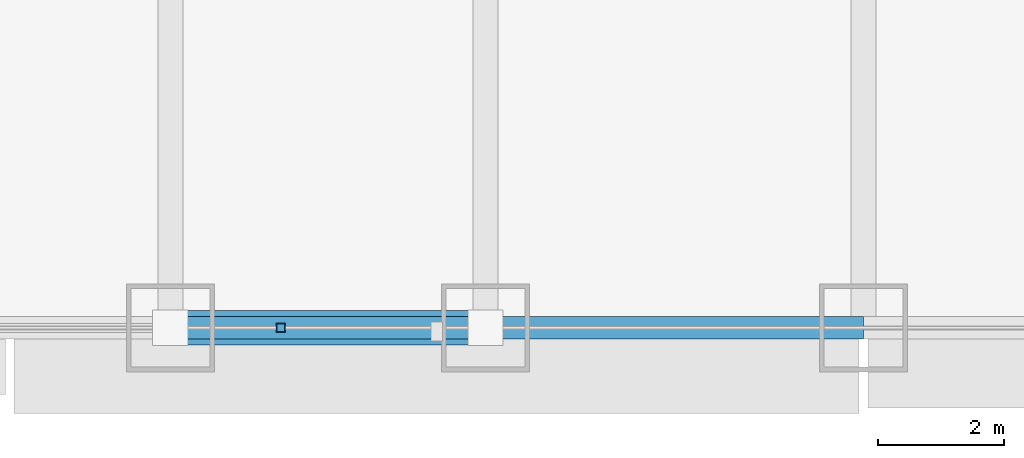
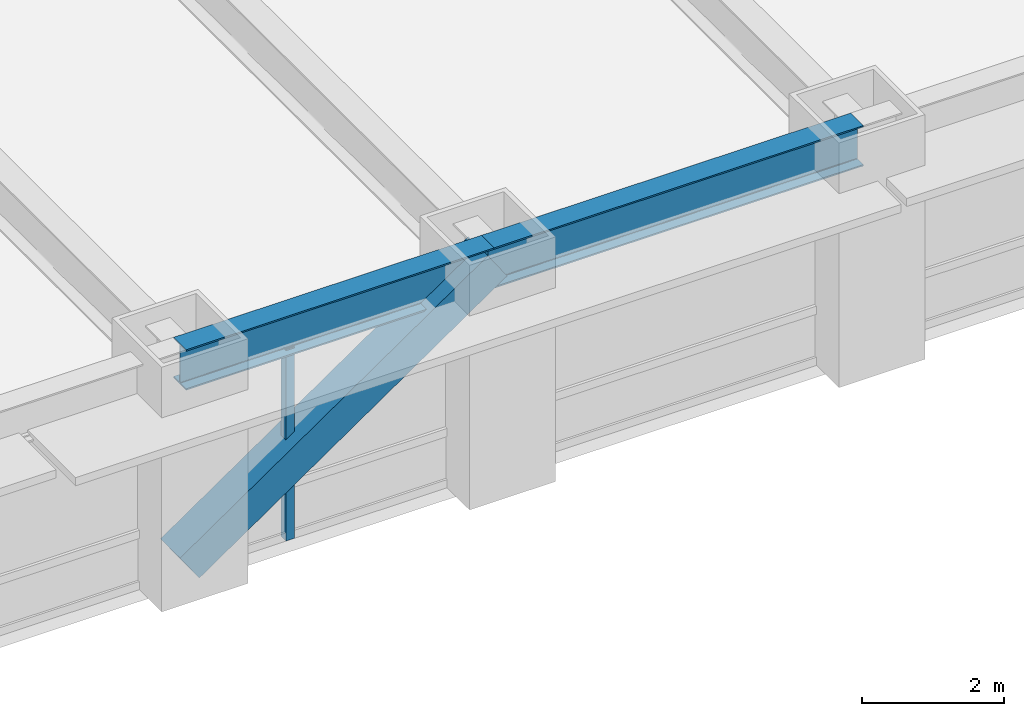
# One storey, part 4 of 31: 2 beams, 2 members, 1 element without a shape of its own.
"""IFC4 building model written with IfcOpenShell, lengths in metres."""

from ifc_helpers import new_model, si_unit, direction, frame, origin, origin_2d, place, context, subcontext, project, spatial, hollow_rectangle, i_section, extrude, source, transform, mapped, material, material_profile, profile_set, type_object, element, aggregate, save


model = new_model("IFC4")

# Units and contexts
model_context = context("Model", 3, precision=1e-05, world=origin(), true_north=direction((0.0, 1.0)))
body_context = subcontext(model_context, "Body", "Model", "MODEL_VIEW")
ifc_project = project(units=[si_unit("LENGTHUNIT", "METRE"), si_unit("AREAUNIT", "SQUARE_METRE"), si_unit("VOLUMEUNIT", "CUBIC_METRE"), si_unit("PLANEANGLEUNIT", "RADIAN"), si_unit("MASSUNIT", "GRAM", prefix="KILO")], contexts=[model_context])

# Site, building, storey
site_placement = place(None, origin())
site = spatial("IfcSite", under=ifc_project, at=site_placement, CompositionType="ELEMENT")
building_placement = place(site_placement, origin())
building = spatial("IfcBuilding", under=site, at=building_placement, Name="Khorayat Bourse Tower", CompositionType="ELEMENT")
storey_placement = place(building_placement, frame((0.0, 0.0, 41.0)))
storey = spatial("IfcBuildingStorey", under=building, at=storey_placement, Name="L08", CompositionType="ELEMENT", Elevation=41.0)

# Beams
ifc_material_1 = material(Name="Steel ASTM A992 Grade 50", Category="steel")
ifc_material_profile_1 = material_profile(ifc_material_1, i_section(OverallWidth=0.35498046875, OverallDepth=0.695068359375, WebThickness=0.015380859375, FlangeThickness=0.02490234375, FilletRadius=0.01806640625, at=origin_2d()), Name="W690X217")
ifc_profile_set_1 = profile_set([ifc_material_profile_1], Name="Steel ASTM A992 Grade 50")
beam_type = type_object("IfcBeamType", Name="BM-SPAN-690", PredefinedType="SPANDREL", material=ifc_profile_set_1)
shared_shape_1 = source(origin(), body_context, "Body", "SweptSolid", [
    extrude(i_section(OverallWidth=0.35498046875, OverallDepth=0.695068359375, WebThickness=0.015380859375, FlangeThickness=0.02490234375, FilletRadius=0.01806640625, at=origin_2d()), origin(), (0.0, 0.0, 1.0), 5.0),
])
beam_1_placement = place(storey_placement, frame((-11.0, -32.0, 3.592529296875), z_axis=(1.0, 0.0, 0.0), x_axis=(0.0, 1.0, 0.0)))
element("IfcBeam", 1, at=beam_1_placement, inside=storey, type_object=beam_type, Name="L08 BM-SPAN-690 BM-L08-SPN-026", PredefinedType="SPANDREL", context=body_context, shape_type="MappedRepresentation", body=[
    mapped(shared_shape_1, transform((0.0, 0.0, 0.0), scale=1.0)),
])
shared_shape_2 = source(origin(), body_context, "Body", "SweptSolid", [
    extrude(i_section(OverallWidth=0.35498046875, OverallDepth=0.695068359375, WebThickness=0.015380859375, FlangeThickness=0.02490234375, FilletRadius=0.01806640625, at=origin_2d()), origin(), (0.0, 0.0, 1.0), 6.0),
])
beam_2_placement = place(storey_placement, frame((-6.0, -32.0, 3.592529296875), z_axis=(1.0, 0.0, 0.0), x_axis=(0.0, 1.0, 0.0)))
element("IfcBeam", 2, at=beam_2_placement, inside=storey, type_object=beam_type, Name="L08 BM-SPAN-690 BM-L08-SPN-027", PredefinedType="SPANDREL", context=body_context, shape_type="MappedRepresentation", body=[
    mapped(shared_shape_2, transform((0.0, 0.0, 0.0), scale=1.0)),
])

# Member
ifc_material_2 = material(Name="Steel EN 10025-4 S460M", Category="steel")
ifc_material_profile_2 = material_profile(ifc_material_2, hollow_rectangle(XDim=0.550048828125, YDim=0.550048828125, WallThickness=0.031982421875, at=origin_2d()), Name="HSS 550x550x32")
ifc_profile_set_2 = profile_set([ifc_material_profile_2], Name="Steel EN 10025-4 S460M")
member_type_1 = type_object("IfcMemberType", Name="MBR-TUBE-550", PredefinedType="BRACE", material=ifc_profile_set_2)
shared_shape_3 = source(origin(), body_context, "Body", "SweptSolid", [
    extrude(hollow_rectangle(XDim=0.550048828125, YDim=0.550048828125, WallThickness=0.031982421875, at=origin_2d()), origin(), (0.0, 0.0, 1.0), 6.069091796875),
])
member_1_placement = place(storey_placement, frame((-11.0, -32.0, 0.25), z_axis=(0.823854080622, 0.0, 0.566801952928), x_axis=(0.0, 1.0, 0.0)))
element("IfcMember", 3, at=member_1_placement, inside=storey, type_object=member_type_1, Name="L08 Perimeter Tube Brace 01", PredefinedType="BRACE", context=body_context, shape_type="MappedRepresentation", body=[
    mapped(shared_shape_3, transform((0.0, 0.0, 0.0), scale=1.0)),
])

# Curtain wall, member
ifc_material_3 = material(Name="Aluminium EN AW-6063 T6", Category="aluminium")
curtain_wall_type = type_object("IfcCurtainWallType", Name="CW-SYS-02", PredefinedType="NOTDEFINED", material=ifc_material_3)
curtain_wall_placement = place(storey_placement, origin())
curtain_wall = element("IfcCurtainWall", 4, at=curtain_wall_placement, inside=storey, type_object=curtain_wall_type, Name="L08 Curtain Wall CW-L08-S1", PredefinedType="NOTDEFINED")
ifc_material_profile_3 = material_profile(ifc_material_3, hollow_rectangle(XDim=0.139892578125, YDim=0.139892578125, WallThickness=0.006103515625, at=origin_2d()), Name="ALU 140x140x6")
ifc_profile_set_3 = profile_set([ifc_material_profile_3], Name="Aluminium EN AW-6063 T6")
member_type_2 = type_object("IfcMemberType", Name="CWM-VERT-140", PredefinedType="MULLION", material=ifc_profile_set_3)
shared_shape_4 = source(origin(), body_context, "Body", "SweptSolid", [
    extrude(hollow_rectangle(XDim=0.139892578125, YDim=0.139892578125, WallThickness=0.006103515625, at=origin_2d()), origin(), (0.0, 0.0, 1.0), 3.2900390625),
])
member_2_placement = place(storey_placement, frame((-9.25, -32.0, 0.0), z_axis=(0.0, 0.0, 1.0), x_axis=(0.0, 1.0, 0.0)))
member_2 = element("IfcMember", 5, at=member_2_placement, type_object=member_type_2, Name="CW-L08-S1 Vertical Mullion 2", PredefinedType="MULLION", context=body_context, shape_type="MappedRepresentation", body=[
    mapped(shared_shape_4, transform((0.0, 0.0, 0.0), scale=1.0)),
])
aggregate(curtain_wall, [member_2])

save(model, "model.ifc")
